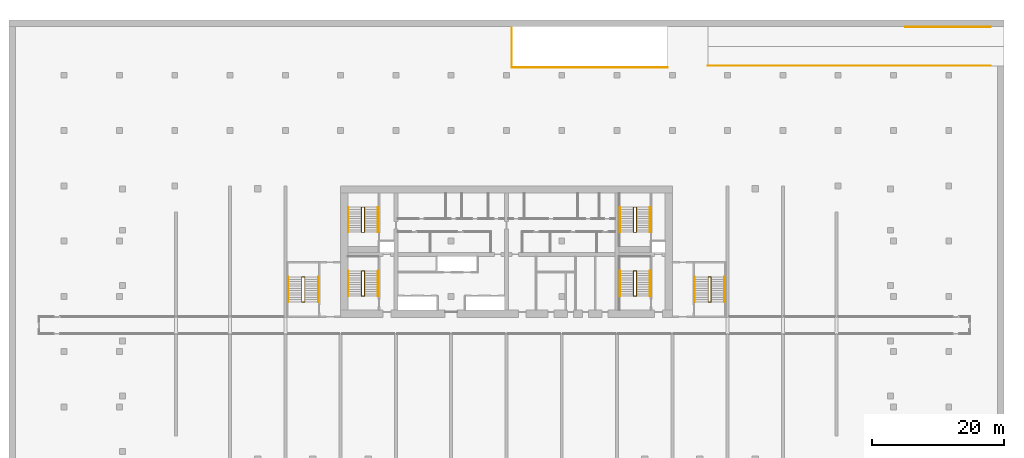
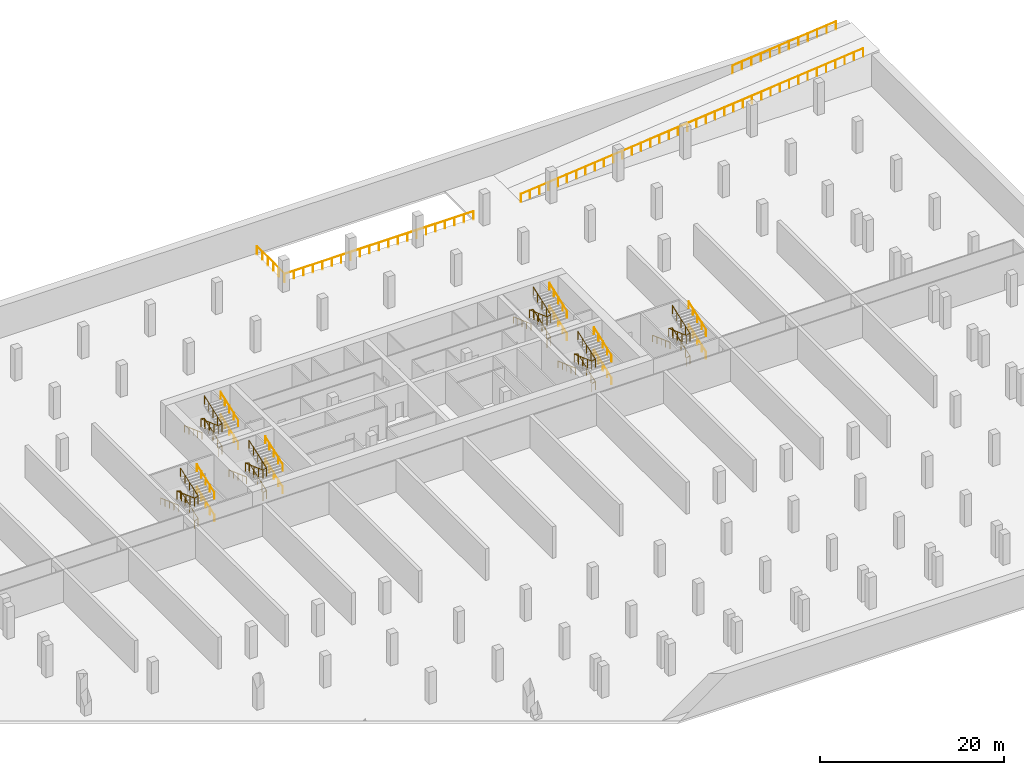
# One storey, part 12 of 12: 27 railings.
"""IFC4 building model written with IfcOpenShell, lengths in metres."""

from ifc_helpers import new_model, si_unit, direction, frame, origin, origin_2d, place, context, subcontext, project, spatial, circle, extrude, source, transform, mapped, material, type_object, element, save


model = new_model("IFC4")

# Units and contexts
model_context = context("Model", 3, precision=1e-05, world=origin(), true_north=direction((0.0, 1.0)))
body_context = subcontext(model_context, "Body", "Model", "MODEL_VIEW")
ifc_project = project(units=[si_unit("LENGTHUNIT", "METRE"), si_unit("AREAUNIT", "SQUARE_METRE"), si_unit("VOLUMEUNIT", "CUBIC_METRE"), si_unit("PLANEANGLEUNIT", "RADIAN"), si_unit("MASSUNIT", "GRAM", prefix="KILO")], contexts=[model_context])

# Site, building, storey
site_placement = place(None, origin())
site = spatial("IfcSite", under=ifc_project, at=site_placement, CompositionType="ELEMENT")
building_placement = place(site_placement, origin())
building = spatial("IfcBuilding", under=site, at=building_placement, Name="Vanashikhar Sky Hotel", CompositionType="ELEMENT")
storey_placement = place(building_placement, frame((0.0, 0.0, -4.5)))
storey = spatial("IfcBuildingStorey", under=building, at=storey_placement, Name="B1", CompositionType="ELEMENT", Elevation=-4.5)

# Railings
ifc_material = material(Name="Steel S355", Category="steel")
railing_type_1 = type_object("IfcRailingType", Name="Stair guard 1100", PredefinedType="GUARDRAIL", material=ifc_material)
shared_shape_1 = source(origin(), body_context, "Body", "SweptSolid", [
    extrude(circle(Radius=0.02392578125, at=origin_2d()), frame((0.0, 0.0, 1.076171875), z_axis=(0.963547848091, 0.0, 0.267536061943), x_axis=(0.0, 1.0, 0.0)), (0.0, 0.0, 1.0), 0.46728515625),
    extrude(circle(Radius=0.02392578125, at=origin_2d()), frame((0.4501953125, 0.0, 1.201171875), z_axis=(0.0, 0.940335516113, 0.340248610777), x_axis=(-1.0, 0.0, 0.0)), (0.0, 0.0, 1.0), 4.041259765625),
    extrude(circle(Radius=0.02392578125, at=origin_2d()), frame((0.4501953125, 3.800048828125, 2.576171875), z_axis=(-0.963547848091, 0.0, 0.267536061943), x_axis=(0.0, -1.0, 0.0)), (0.0, 0.0, 1.0), 0.46728515625),
    extrude(circle(Radius=0.02392578125, at=origin_2d()), frame((0.0, 3.800048828125, 2.701171875), z_axis=(0.0, -0.940335516113, 0.340248610777), x_axis=(1.0, 0.0, 0.0)), (0.0, 0.0, 1.0), 4.041259765625),
    extrude(circle(Radius=0.02392578125, at=origin_2d()), frame((0.0, 0.0, 4.076171875), z_axis=(0.963547848091, 0.0, 0.267536061943), x_axis=(0.0, 1.0, 0.0)), (0.0, 0.0, 1.0), 0.46728515625),
    extrude(circle(Radius=0.02392578125, at=origin_2d()), frame((0.4501953125, 0.0, 4.201171875), z_axis=(0.0, 0.940335516113, 0.340248610777), x_axis=(-1.0, 0.0, 0.0)), (0.0, 0.0, 1.0), 4.041259765625),
    extrude(circle(Radius=0.02099609375, at=origin_2d()), origin(), (0.0, 0.0, 1.0), 1.052001953125),
    extrude(circle(Radius=0.02099609375, at=origin_2d()), frame((0.4501953125, 0.0, 0.125)), (0.0, 0.0, 1.0), 1.052001953125),
    extrude(circle(Radius=0.02099609375, at=origin_2d()), frame((0.4501953125, 0.949951171875, 0.46875)), (0.0, 0.0, 1.0), 1.052001953125),
    extrude(circle(Radius=0.02099609375, at=origin_2d()), frame((0.4501953125, 1.89990234375, 0.8125)), (0.0, 0.0, 1.0), 1.052001953125),
    extrude(circle(Radius=0.02099609375, at=origin_2d()), frame((0.4501953125, 2.85009765625, 1.15625)), (0.0, 0.0, 1.0), 1.052001953125),
    extrude(circle(Radius=0.02099609375, at=origin_2d()), frame((0.4501953125, 3.800048828125, 1.5)), (0.0, 0.0, 1.0), 1.052001953125),
    extrude(circle(Radius=0.02099609375, at=origin_2d()), frame((0.0, 3.800048828125, 1.625)), (0.0, 0.0, 1.0), 1.052001953125),
    extrude(circle(Radius=0.02099609375, at=origin_2d()), frame((0.0, 2.85009765625, 1.96875)), (0.0, 0.0, 1.0), 1.052001953125),
    extrude(circle(Radius=0.02099609375, at=origin_2d()), frame((0.0, 1.89990234375, 2.3125)), (0.0, 0.0, 1.0), 1.052001953125),
    extrude(circle(Radius=0.02099609375, at=origin_2d()), frame((0.0, 0.949951171875, 2.65625)), (0.0, 0.0, 1.0), 1.052001953125),
    extrude(circle(Radius=0.02099609375, at=origin_2d()), frame((0.0, 0.0, 3.0)), (0.0, 0.0, 1.0), 1.052001953125),
    extrude(circle(Radius=0.02099609375, at=origin_2d()), frame((0.4501953125, 0.0, 3.125)), (0.0, 0.0, 1.0), 1.052001953125),
    extrude(circle(Radius=0.02099609375, at=origin_2d()), frame((0.4501953125, 0.949951171875, 3.46875)), (0.0, 0.0, 1.0), 1.052001953125),
    extrude(circle(Radius=0.02099609375, at=origin_2d()), frame((0.4501953125, 1.89990234375, 3.8125)), (0.0, 0.0, 1.0), 1.052001953125),
    extrude(circle(Radius=0.02099609375, at=origin_2d()), frame((0.4501953125, 2.85009765625, 4.15625)), (0.0, 0.0, 1.0), 1.052001953125),
    extrude(circle(Radius=0.02099609375, at=origin_2d()), frame((0.4501953125, 3.800048828125, 4.5)), (0.0, 0.0, 1.0), 1.052001953125),
])
for number, where, name in (
    (1, (28.39990234375, 25.25, 0.0), "Exit stair 1 guard"),
    (2, (28.39990234375, 34.949951171875, 0.0), "Exit stair 5 guard"),
):
    element("IfcRailing", number, at=place(storey_placement, frame(where)), inside=storey, type_object=railing_type_1, Name=name, PredefinedType="GUARDRAIL", context=body_context, shape_type="MappedRepresentation", body=[
        mapped(shared_shape_1, transform((0.0, 0.0, 0.0), scale=1.0)),
    ])
railing_type_2 = type_object("IfcRailingType", Name="Stair handrail 900", PredefinedType="HANDRAIL", material=ifc_material)
shared_shape_2 = source(origin(), body_context, "Body", "SweptSolid", [
    extrude(circle(Radius=0.02392578125, at=origin_2d()), frame((0.0, 0.0, 0.8759765625), z_axis=(0.0, 0.940335516113, 0.340248610777), x_axis=(-1.0, 0.0, 0.0)), (0.0, 0.0, 1.0), 4.041259765625),
    extrude(circle(Radius=0.02099609375, at=origin_2d()), origin(), (0.0, 0.0, 1.0), 0.851806640625),
    extrude(circle(Radius=0.02099609375, at=origin_2d()), frame((0.0, 0.949951171875, 0.34375)), (0.0, 0.0, 1.0), 0.851806640625),
    extrude(circle(Radius=0.02099609375, at=origin_2d()), frame((0.0, 1.89990234375, 0.6875)), (0.0, 0.0, 1.0), 0.851806640625),
    extrude(circle(Radius=0.02099609375, at=origin_2d()), frame((0.0, 2.85009765625, 1.03125)), (0.0, 0.0, 1.0), 0.851806640625),
    extrude(circle(Radius=0.02099609375, at=origin_2d()), frame((0.0, 3.800048828125, 1.375)), (0.0, 0.0, 1.0), 0.851806640625),
])
for number, where, name in (
    (3, (30.89990234375, 25.25, 0.125), "Exit stair 1 handrail"),
    (4, (30.89990234375, 25.25, 3.125), "Exit stair 1 handrail"),
    (5, (72.199951171875, 25.25, 0.125), "Exit stair 2 handrail"),
    (6, (72.199951171875, 25.25, 3.125), "Exit stair 2 handrail"),
    (7, (30.89990234375, 34.949951171875, 0.125), "Exit stair 5 handrail"),
    (8, (30.89990234375, 34.949951171875, 3.125), "Exit stair 5 handrail"),
    (9, (72.199951171875, 34.949951171875, 0.125), "Exit stair 6 handrail"),
    (10, (72.199951171875, 34.949951171875, 3.125), "Exit stair 6 handrail"),
):
    element("IfcRailing", number, at=place(storey_placement, frame(where)), inside=storey, type_object=railing_type_2, Name=name, PredefinedType="HANDRAIL", context=body_context, shape_type="MappedRepresentation", body=[
        mapped(shared_shape_2, transform((0.0, 0.0, 0.0), scale=1.0)),
    ])
shared_shape_3 = source(origin(), body_context, "Body", "SweptSolid", [
    extrude(circle(Radius=0.02392578125, at=origin_2d()), frame((0.0, 0.0, 0.8759765625), z_axis=(0.0, -0.940335516113, 0.340248610777), x_axis=(1.0, 0.0, 0.0)), (0.0, 0.0, 1.0), 4.041259765625),
    extrude(circle(Radius=0.02099609375, at=origin_2d()), origin(), (0.0, 0.0, 1.0), 0.851806640625),
    extrude(circle(Radius=0.02099609375, at=origin_2d()), frame((0.0, -0.949951171875, 0.34375)), (0.0, 0.0, 1.0), 0.851806640625),
    extrude(circle(Radius=0.02099609375, at=origin_2d()), frame((0.0, -1.89990234375, 0.6875)), (0.0, 0.0, 1.0), 0.851806640625),
    extrude(circle(Radius=0.02099609375, at=origin_2d()), frame((0.0, -2.85009765625, 1.03125)), (0.0, 0.0, 1.0), 0.851806640625),
    extrude(circle(Radius=0.02099609375, at=origin_2d()), frame((0.0, -3.800048828125, 1.375)), (0.0, 0.0, 1.0), 0.851806640625),
])
for number, where, name in (
    (11, (26.35009765625, 29.050048828125, 1.625), "Exit stair 1 handrail"),
    (12, (67.64990234375, 29.050048828125, 1.625), "Exit stair 2 handrail"),
    (13, (26.35009765625, 38.75, 1.625), "Exit stair 5 handrail"),
    (14, (67.64990234375, 38.75, 1.625), "Exit stair 6 handrail"),
):
    element("IfcRailing", number, at=place(storey_placement, frame(where)), inside=storey, type_object=railing_type_2, Name=name, PredefinedType="HANDRAIL", context=body_context, shape_type="MappedRepresentation", body=[
        mapped(shared_shape_3, transform((0.0, 0.0, 0.0), scale=1.0)),
    ])
shared_shape_4 = source(origin(), body_context, "Body", "SweptSolid", [
    extrude(circle(Radius=0.02392578125, at=origin_2d()), frame((0.0, 0.0, 1.076171875), z_axis=(0.963510419359, 0.0, 0.267670827299), x_axis=(0.0, 1.0, 0.0)), (0.0, 0.0, 1.0), 0.467041015625),
    extrude(circle(Radius=0.02392578125, at=origin_2d()), frame((0.449951171875, 0.0, 1.201171875), z_axis=(0.0, 0.940335516113, 0.340248610777), x_axis=(-1.0, 0.0, 0.0)), (0.0, 0.0, 1.0), 4.041259765625),
    extrude(circle(Radius=0.02392578125, at=origin_2d()), frame((0.449951171875, 3.800048828125, 2.576171875), z_axis=(-0.963510419359, 0.0, 0.267670827299), x_axis=(0.0, -1.0, 0.0)), (0.0, 0.0, 1.0), 0.467041015625),
    extrude(circle(Radius=0.02392578125, at=origin_2d()), frame((0.0, 3.800048828125, 2.701171875), z_axis=(0.0, -0.940335516113, 0.340248610777), x_axis=(1.0, 0.0, 0.0)), (0.0, 0.0, 1.0), 4.041259765625),
    extrude(circle(Radius=0.02392578125, at=origin_2d()), frame((0.0, 0.0, 4.076171875), z_axis=(0.963510419359, 0.0, 0.267670827299), x_axis=(0.0, 1.0, 0.0)), (0.0, 0.0, 1.0), 0.467041015625),
    extrude(circle(Radius=0.02392578125, at=origin_2d()), frame((0.449951171875, 0.0, 4.201171875), z_axis=(0.0, 0.940335516113, 0.340248610777), x_axis=(-1.0, 0.0, 0.0)), (0.0, 0.0, 1.0), 4.041259765625),
    extrude(circle(Radius=0.02099609375, at=origin_2d()), origin(), (0.0, 0.0, 1.0), 1.052001953125),
    extrude(circle(Radius=0.02099609375, at=origin_2d()), frame((0.449951171875, 0.0, 0.125)), (0.0, 0.0, 1.0), 1.052001953125),
    extrude(circle(Radius=0.02099609375, at=origin_2d()), frame((0.449951171875, 0.949951171875, 0.46875)), (0.0, 0.0, 1.0), 1.052001953125),
    extrude(circle(Radius=0.02099609375, at=origin_2d()), frame((0.449951171875, 1.89990234375, 0.8125)), (0.0, 0.0, 1.0), 1.052001953125),
    extrude(circle(Radius=0.02099609375, at=origin_2d()), frame((0.449951171875, 2.85009765625, 1.15625)), (0.0, 0.0, 1.0), 1.052001953125),
    extrude(circle(Radius=0.02099609375, at=origin_2d()), frame((0.449951171875, 3.800048828125, 1.5)), (0.0, 0.0, 1.0), 1.052001953125),
    extrude(circle(Radius=0.02099609375, at=origin_2d()), frame((0.0, 3.800048828125, 1.625)), (0.0, 0.0, 1.0), 1.052001953125),
    extrude(circle(Radius=0.02099609375, at=origin_2d()), frame((0.0, 2.85009765625, 1.96875)), (0.0, 0.0, 1.0), 1.052001953125),
    extrude(circle(Radius=0.02099609375, at=origin_2d()), frame((0.0, 1.89990234375, 2.3125)), (0.0, 0.0, 1.0), 1.052001953125),
    extrude(circle(Radius=0.02099609375, at=origin_2d()), frame((0.0, 0.949951171875, 2.65625)), (0.0, 0.0, 1.0), 1.052001953125),
    extrude(circle(Radius=0.02099609375, at=origin_2d()), frame((0.0, 0.0, 3.0)), (0.0, 0.0, 1.0), 1.052001953125),
    extrude(circle(Radius=0.02099609375, at=origin_2d()), frame((0.449951171875, 0.0, 3.125)), (0.0, 0.0, 1.0), 1.052001953125),
    extrude(circle(Radius=0.02099609375, at=origin_2d()), frame((0.449951171875, 0.949951171875, 3.46875)), (0.0, 0.0, 1.0), 1.052001953125),
    extrude(circle(Radius=0.02099609375, at=origin_2d()), frame((0.449951171875, 1.89990234375, 3.8125)), (0.0, 0.0, 1.0), 1.052001953125),
    extrude(circle(Radius=0.02099609375, at=origin_2d()), frame((0.449951171875, 2.85009765625, 4.15625)), (0.0, 0.0, 1.0), 1.052001953125),
    extrude(circle(Radius=0.02099609375, at=origin_2d()), frame((0.449951171875, 3.800048828125, 4.5)), (0.0, 0.0, 1.0), 1.052001953125),
])
for number, where, name in (
    (15, (69.699951171875, 25.25, 0.0), "Exit stair 2 guard"),
    (16, (69.699951171875, 34.949951171875, 0.0), "Exit stair 6 guard"),
):
    element("IfcRailing", number, at=place(storey_placement, frame(where)), inside=storey, type_object=railing_type_1, Name=name, PredefinedType="GUARDRAIL", context=body_context, shape_type="MappedRepresentation", body=[
        mapped(shared_shape_4, transform((0.0, 0.0, 0.0), scale=1.0)),
    ])
shared_shape_5 = source(origin(), body_context, "Body", "SweptSolid", [
    extrude(circle(Radius=0.02392578125, at=origin_2d()), frame((0.0, 0.0, 1.076171875), z_axis=(0.963510419359, 0.0, 0.267670827299), x_axis=(0.0, 1.0, 0.0)), (0.0, 0.0, 1.0), 0.467041015625),
    extrude(circle(Radius=0.02392578125, at=origin_2d()), frame((0.449951171875, 0.0, 1.201171875), z_axis=(0.0, 0.940328521504, 0.340267940961), x_axis=(-1.0, 0.0, 0.0)), (0.0, 0.0, 1.0), 4.041015625),
    extrude(circle(Radius=0.02392578125, at=origin_2d()), frame((0.449951171875, 3.7998046875, 2.576171875), z_axis=(-0.963510419359, 0.0, 0.267670827299), x_axis=(0.0, -1.0, 0.0)), (0.0, 0.0, 1.0), 0.467041015625),
    extrude(circle(Radius=0.02392578125, at=origin_2d()), frame((0.0, 3.7998046875, 2.701171875), z_axis=(0.0, -0.940328521504, 0.340267940961), x_axis=(1.0, 0.0, 0.0)), (0.0, 0.0, 1.0), 4.041015625),
    extrude(circle(Radius=0.02392578125, at=origin_2d()), frame((0.0, 0.0, 4.076171875), z_axis=(0.963510419359, 0.0, 0.267670827299), x_axis=(0.0, 1.0, 0.0)), (0.0, 0.0, 1.0), 0.467041015625),
    extrude(circle(Radius=0.02392578125, at=origin_2d()), frame((0.449951171875, 0.0, 4.201171875), z_axis=(0.0, 0.940328521504, 0.340267940961), x_axis=(-1.0, 0.0, 0.0)), (0.0, 0.0, 1.0), 4.041015625),
    extrude(circle(Radius=0.02099609375, at=origin_2d()), origin(), (0.0, 0.0, 1.0), 1.052001953125),
    extrude(circle(Radius=0.02099609375, at=origin_2d()), frame((0.449951171875, 0.0, 0.125)), (0.0, 0.0, 1.0), 1.052001953125),
    extrude(circle(Radius=0.02099609375, at=origin_2d()), frame((0.449951171875, 0.949951171875, 0.46875)), (0.0, 0.0, 1.0), 1.052001953125),
    extrude(circle(Radius=0.02099609375, at=origin_2d()), frame((0.449951171875, 1.89990234375, 0.8125)), (0.0, 0.0, 1.0), 1.052001953125),
    extrude(circle(Radius=0.02099609375, at=origin_2d()), frame((0.449951171875, 2.849853515625, 1.15625)), (0.0, 0.0, 1.0), 1.052001953125),
    extrude(circle(Radius=0.02099609375, at=origin_2d()), frame((0.449951171875, 3.7998046875, 1.5)), (0.0, 0.0, 1.0), 1.052001953125),
    extrude(circle(Radius=0.02099609375, at=origin_2d()), frame((0.0, 3.7998046875, 1.625)), (0.0, 0.0, 1.0), 1.052001953125),
    extrude(circle(Radius=0.02099609375, at=origin_2d()), frame((0.0, 2.849853515625, 1.96875)), (0.0, 0.0, 1.0), 1.052001953125),
    extrude(circle(Radius=0.02099609375, at=origin_2d()), frame((0.0, 1.89990234375, 2.3125)), (0.0, 0.0, 1.0), 1.052001953125),
    extrude(circle(Radius=0.02099609375, at=origin_2d()), frame((0.0, 0.949951171875, 2.65625)), (0.0, 0.0, 1.0), 1.052001953125),
    extrude(circle(Radius=0.02099609375, at=origin_2d()), frame((0.0, 0.0, 3.0)), (0.0, 0.0, 1.0), 1.052001953125),
    extrude(circle(Radius=0.02099609375, at=origin_2d()), frame((0.449951171875, 0.0, 3.125)), (0.0, 0.0, 1.0), 1.052001953125),
    extrude(circle(Radius=0.02099609375, at=origin_2d()), frame((0.449951171875, 0.949951171875, 3.46875)), (0.0, 0.0, 1.0), 1.052001953125),
    extrude(circle(Radius=0.02099609375, at=origin_2d()), frame((0.449951171875, 1.89990234375, 3.8125)), (0.0, 0.0, 1.0), 1.052001953125),
    extrude(circle(Radius=0.02099609375, at=origin_2d()), frame((0.449951171875, 2.849853515625, 4.15625)), (0.0, 0.0, 1.0), 1.052001953125),
    extrude(circle(Radius=0.02099609375, at=origin_2d()), frame((0.449951171875, 3.7998046875, 4.5)), (0.0, 0.0, 1.0), 1.052001953125),
])
for number, where, name in (
    (17, (19.300048828125, 24.35009765625, 0.0), "Exit stair 3 guard"),
    (18, (81.050048828125, 24.35009765625, 0.0), "Exit stair 4 guard"),
):
    element("IfcRailing", number, at=place(storey_placement, frame(where)), inside=storey, type_object=railing_type_1, Name=name, PredefinedType="GUARDRAIL", context=body_context, shape_type="MappedRepresentation", body=[
        mapped(shared_shape_5, transform((0.0, 0.0, 0.0), scale=1.0)),
    ])
shared_shape_6 = source(origin(), body_context, "Body", "SweptSolid", [
    extrude(circle(Radius=0.02392578125, at=origin_2d()), frame((0.0, 0.0, 0.8759765625), z_axis=(0.0, 0.940328521504, 0.340267940961), x_axis=(-1.0, 0.0, 0.0)), (0.0, 0.0, 1.0), 4.041015625),
    extrude(circle(Radius=0.02099609375, at=origin_2d()), origin(), (0.0, 0.0, 1.0), 0.851806640625),
    extrude(circle(Radius=0.02099609375, at=origin_2d()), frame((0.0, 0.949951171875, 0.34375)), (0.0, 0.0, 1.0), 0.851806640625),
    extrude(circle(Radius=0.02099609375, at=origin_2d()), frame((0.0, 1.89990234375, 0.6875)), (0.0, 0.0, 1.0), 0.851806640625),
    extrude(circle(Radius=0.02099609375, at=origin_2d()), frame((0.0, 2.849853515625, 1.03125)), (0.0, 0.0, 1.0), 0.851806640625),
    extrude(circle(Radius=0.02099609375, at=origin_2d()), frame((0.0, 3.7998046875, 1.375)), (0.0, 0.0, 1.0), 0.851806640625),
])
for number, where, name in (
    (19, (21.800048828125, 24.35009765625, 0.125), "Exit stair 3 handrail"),
    (20, (21.800048828125, 24.35009765625, 3.125), "Exit stair 3 handrail"),
    (21, (83.550048828125, 24.35009765625, 0.125), "Exit stair 4 handrail"),
    (22, (83.550048828125, 24.35009765625, 3.125), "Exit stair 4 handrail"),
):
    element("IfcRailing", number, at=place(storey_placement, frame(where)), inside=storey, type_object=railing_type_2, Name=name, PredefinedType="HANDRAIL", context=body_context, shape_type="MappedRepresentation", body=[
        mapped(shared_shape_6, transform((0.0, 0.0, 0.0), scale=1.0)),
    ])
shared_shape_7 = source(origin(), body_context, "Body", "SweptSolid", [
    extrude(circle(Radius=0.02392578125, at=origin_2d()), frame((0.0, 0.0, 0.8759765625), z_axis=(0.0, -0.940328521504, 0.340267940961), x_axis=(1.0, 0.0, 0.0)), (0.0, 0.0, 1.0), 4.041015625),
    extrude(circle(Radius=0.02099609375, at=origin_2d()), origin(), (0.0, 0.0, 1.0), 0.851806640625),
    extrude(circle(Radius=0.02099609375, at=origin_2d()), frame((0.0, -0.949951171875, 0.34375)), (0.0, 0.0, 1.0), 0.851806640625),
    extrude(circle(Radius=0.02099609375, at=origin_2d()), frame((0.0, -1.89990234375, 0.6875)), (0.0, 0.0, 1.0), 0.851806640625),
    extrude(circle(Radius=0.02099609375, at=origin_2d()), frame((0.0, -2.849853515625, 1.03125)), (0.0, 0.0, 1.0), 0.851806640625),
    extrude(circle(Radius=0.02099609375, at=origin_2d()), frame((0.0, -3.7998046875, 1.375)), (0.0, 0.0, 1.0), 0.851806640625),
])
for number, where, name in (
    (23, (17.25, 28.14990234375, 1.625), "Exit stair 3 handrail"),
    (24, (79.0, 28.14990234375, 1.625), "Exit stair 4 handrail"),
):
    element("IfcRailing", number, at=place(storey_placement, frame(where)), inside=storey, type_object=railing_type_2, Name=name, PredefinedType="HANDRAIL", context=body_context, shape_type="MappedRepresentation", body=[
        mapped(shared_shape_7, transform((0.0, 0.0, 0.0), scale=1.0)),
    ])
railing_type_3 = type_object("IfcRailingType", Name="Ramp trench guard 1100 mm", PredefinedType="GUARDRAIL", material=ifc_material)
shared_shape_8 = source(origin(), body_context, "Body", "SweptSolid", [
    extrude(circle(Radius=0.02392578125, at=origin_2d()), frame((0.0, 0.0, 1.076171875), z_axis=(0.0, -1.0, 0.0), x_axis=(1.0, 0.0, 0.0)), (0.0, 0.0, 1.0), 6.0),
    extrude(circle(Radius=0.02392578125, at=origin_2d()), frame((0.0, -6.0, 1.076171875), z_axis=(1.0, 0.0, 0.0), x_axis=(0.0, 1.0, 0.0)), (0.0, 0.0, 1.0), 23.699951171875),
    extrude(circle(Radius=0.02099609375, at=origin_2d()), origin(), (0.0, 0.0, 1.0), 1.052001953125),
    extrude(circle(Radius=0.02099609375, at=origin_2d()), frame((0.0, -1.199951171875, 0.0)), (0.0, 0.0, 1.0), 1.052001953125),
    extrude(circle(Radius=0.02099609375, at=origin_2d()), frame((0.0, -2.39990234375, 0.0)), (0.0, 0.0, 1.0), 1.052001953125),
    extrude(circle(Radius=0.02099609375, at=origin_2d()), frame((0.0, -3.60009765625, 0.0)), (0.0, 0.0, 1.0), 1.052001953125),
    extrude(circle(Radius=0.02099609375, at=origin_2d()), frame((0.0, -4.800048828125, 0.0)), (0.0, 0.0, 1.0), 1.052001953125),
    extrude(circle(Radius=0.02099609375, at=origin_2d()), frame((0.0, -6.0, 0.0)), (0.0, 0.0, 1.0), 1.052001953125),
    extrude(circle(Radius=0.02099609375, at=origin_2d()), frame((1.18505859375, -6.0, 0.0)), (0.0, 0.0, 1.0), 1.052001953125),
    extrude(circle(Radius=0.02099609375, at=origin_2d()), frame((2.3701171875, -6.0, 0.0)), (0.0, 0.0, 1.0), 1.052001953125),
    extrude(circle(Radius=0.02099609375, at=origin_2d()), frame((3.554931640625, -6.0, 0.0)), (0.0, 0.0, 1.0), 1.052001953125),
    extrude(circle(Radius=0.02099609375, at=origin_2d()), frame((4.739990234375, -6.0, 0.0)), (0.0, 0.0, 1.0), 1.052001953125),
    extrude(circle(Radius=0.02099609375, at=origin_2d()), frame((5.925048828125, -6.0, 0.0)), (0.0, 0.0, 1.0), 1.052001953125),
    extrude(circle(Radius=0.02099609375, at=origin_2d()), frame((7.10986328125, -6.0, 0.0)), (0.0, 0.0, 1.0), 1.052001953125),
    extrude(circle(Radius=0.02099609375, at=origin_2d()), frame((8.294921875, -6.0, 0.0)), (0.0, 0.0, 1.0), 1.052001953125),
    extrude(circle(Radius=0.02099609375, at=origin_2d()), frame((9.47998046875, -6.0, 0.0)), (0.0, 0.0, 1.0), 1.052001953125),
    extrude(circle(Radius=0.02099609375, at=origin_2d()), frame((10.6650390625, -6.0, 0.0)), (0.0, 0.0, 1.0), 1.052001953125),
    extrude(circle(Radius=0.02099609375, at=origin_2d()), frame((11.85009765625, -6.0, 0.0)), (0.0, 0.0, 1.0), 1.052001953125),
    extrude(circle(Radius=0.02099609375, at=origin_2d()), frame((13.034912109375, -6.0, 0.0)), (0.0, 0.0, 1.0), 1.052001953125),
    extrude(circle(Radius=0.02099609375, at=origin_2d()), frame((14.219970703125, -6.0, 0.0)), (0.0, 0.0, 1.0), 1.052001953125),
    extrude(circle(Radius=0.02099609375, at=origin_2d()), frame((15.405029296875, -6.0, 0.0)), (0.0, 0.0, 1.0), 1.052001953125),
    extrude(circle(Radius=0.02099609375, at=origin_2d()), frame((16.58984375, -6.0, 0.0)), (0.0, 0.0, 1.0), 1.052001953125),
    extrude(circle(Radius=0.02099609375, at=origin_2d()), frame((17.77490234375, -6.0, 0.0)), (0.0, 0.0, 1.0), 1.052001953125),
    extrude(circle(Radius=0.02099609375, at=origin_2d()), frame((18.9599609375, -6.0, 0.0)), (0.0, 0.0, 1.0), 1.052001953125),
    extrude(circle(Radius=0.02099609375, at=origin_2d()), frame((20.14501953125, -6.0, 0.0)), (0.0, 0.0, 1.0), 1.052001953125),
    extrude(circle(Radius=0.02099609375, at=origin_2d()), frame((21.330078125, -6.0, 0.0)), (0.0, 0.0, 1.0), 1.052001953125),
    extrude(circle(Radius=0.02099609375, at=origin_2d()), frame((22.514892578125, -6.0, 0.0)), (0.0, 0.0, 1.0), 1.052001953125),
    extrude(circle(Radius=0.02099609375, at=origin_2d()), frame((23.699951171875, -6.0, 0.0)), (0.0, 0.0, 1.0), 1.052001953125),
])
railing_1_placement = place(storey_placement, frame((51.199951171875, 66.0, 0.0)))
element("IfcRailing", 25, at=railing_1_placement, inside=storey, type_object=railing_type_3, Name="Ramp trench guard", PredefinedType="GUARDRAIL", context=body_context, shape_type="MappedRepresentation", body=[
    mapped(shared_shape_8, transform((0.0, 0.0, 0.0), scale=1.0)),
])
railing_type_4 = type_object("IfcRailingType", Name="Ramp edge guard 1100 mm", PredefinedType="GUARDRAIL", material=ifc_material)
shared_shape_9 = source(origin(), body_context, "Body", "SweptSolid", [
    extrude(circle(Radius=0.02392578125, at=origin_2d()), frame((0.0, 0.0, 1.076171875), z_axis=(-0.995037078338, 0.0, -0.099504837736), x_axis=(0.0, -1.0, 0.0)), (0.0, 0.0, 1.0), 43.21435546875),
    extrude(circle(Radius=0.02099609375, at=origin_2d()), origin(), (0.0, 0.0, 1.0), 1.052001953125),
    extrude(circle(Radius=0.02099609375, at=origin_2d()), frame((-1.162109375, 0.0, -0.1162109375)), (0.0, 0.0, 1.0), 1.052001953125),
    extrude(circle(Radius=0.02099609375, at=origin_2d()), frame((-2.32421875, 0.0, -0.232421875)), (0.0, 0.0, 1.0), 1.052001953125),
    extrude(circle(Radius=0.02099609375, at=origin_2d()), frame((-3.486572265625, 0.0, -0.3486328125)), (0.0, 0.0, 1.0), 1.052001953125),
    extrude(circle(Radius=0.02099609375, at=origin_2d()), frame((-4.648681640625, 0.0, -0.46484375)), (0.0, 0.0, 1.0), 1.052001953125),
    extrude(circle(Radius=0.02099609375, at=origin_2d()), frame((-5.810791015625, 0.0, -0.5810546875)), (0.0, 0.0, 1.0), 1.052001953125),
    extrude(circle(Radius=0.02099609375, at=origin_2d()), frame((-6.972900390625, 0.0, -0.697265625)), (0.0, 0.0, 1.0), 1.052001953125),
    extrude(circle(Radius=0.02099609375, at=origin_2d()), frame((-8.13525390625, 0.0, -0.8134765625)), (0.0, 0.0, 1.0), 1.052001953125),
    extrude(circle(Radius=0.02099609375, at=origin_2d()), frame((-9.29736328125, 0.0, -0.9296875)), (0.0, 0.0, 1.0), 1.052001953125),
    extrude(circle(Radius=0.02099609375, at=origin_2d()), frame((-10.45947265625, 0.0, -1.0458984375)), (0.0, 0.0, 1.0), 1.052001953125),
    extrude(circle(Radius=0.02099609375, at=origin_2d()), frame((-11.62158203125, 0.0, -1.162109375)), (0.0, 0.0, 1.0), 1.052001953125),
    extrude(circle(Radius=0.02099609375, at=origin_2d()), frame((-12.78369140625, 0.0, -1.2783203125)), (0.0, 0.0, 1.0), 1.052001953125),
    extrude(circle(Radius=0.02099609375, at=origin_2d()), frame((-13.946044921875, 0.0, -1.39453125)), (0.0, 0.0, 1.0), 1.052001953125),
    extrude(circle(Radius=0.02099609375, at=origin_2d()), frame((-15.108154296875, 0.0, -1.5107421875)), (0.0, 0.0, 1.0), 1.052001953125),
    extrude(circle(Radius=0.02099609375, at=origin_2d()), frame((-16.270263671875, 0.0, -1.626953125)), (0.0, 0.0, 1.0), 1.052001953125),
    extrude(circle(Radius=0.02099609375, at=origin_2d()), frame((-17.432373046875, 0.0, -1.7431640625)), (0.0, 0.0, 1.0), 1.052001953125),
    extrude(circle(Radius=0.02099609375, at=origin_2d()), frame((-18.594482421875, 0.0, -1.859375)), (0.0, 0.0, 1.0), 1.052001953125),
    extrude(circle(Radius=0.02099609375, at=origin_2d()), frame((-19.7568359375, 0.0, -1.9755859375)), (0.0, 0.0, 1.0), 1.052001953125),
    extrude(circle(Radius=0.02099609375, at=origin_2d()), frame((-20.9189453125, 0.0, -2.091796875)), (0.0, 0.0, 1.0), 1.052001953125),
    extrude(circle(Radius=0.02099609375, at=origin_2d()), frame((-22.0810546875, 0.0, -2.208251953125)), (0.0, 0.0, 1.0), 1.052001953125),
    extrude(circle(Radius=0.02099609375, at=origin_2d()), frame((-23.2431640625, 0.0, -2.324462890625)), (0.0, 0.0, 1.0), 1.052001953125),
    extrude(circle(Radius=0.02099609375, at=origin_2d()), frame((-24.405517578125, 0.0, -2.440673828125)), (0.0, 0.0, 1.0), 1.052001953125),
    extrude(circle(Radius=0.02099609375, at=origin_2d()), frame((-25.567626953125, 0.0, -2.556884765625)), (0.0, 0.0, 1.0), 1.052001953125),
    extrude(circle(Radius=0.02099609375, at=origin_2d()), frame((-26.729736328125, 0.0, -2.673095703125)), (0.0, 0.0, 1.0), 1.052001953125),
    extrude(circle(Radius=0.02099609375, at=origin_2d()), frame((-27.891845703125, 0.0, -2.789306640625)), (0.0, 0.0, 1.0), 1.052001953125),
    extrude(circle(Radius=0.02099609375, at=origin_2d()), frame((-29.053955078125, 0.0, -2.905517578125)), (0.0, 0.0, 1.0), 1.052001953125),
    extrude(circle(Radius=0.02099609375, at=origin_2d()), frame((-30.21630859375, 0.0, -3.021728515625)), (0.0, 0.0, 1.0), 1.052001953125),
    extrude(circle(Radius=0.02099609375, at=origin_2d()), frame((-31.37841796875, 0.0, -3.137939453125)), (0.0, 0.0, 1.0), 1.052001953125),
    extrude(circle(Radius=0.02099609375, at=origin_2d()), frame((-32.54052734375, 0.0, -3.254150390625)), (0.0, 0.0, 1.0), 1.052001953125),
    extrude(circle(Radius=0.02099609375, at=origin_2d()), frame((-33.70263671875, 0.0, -3.370361328125)), (0.0, 0.0, 1.0), 1.052001953125),
    extrude(circle(Radius=0.02099609375, at=origin_2d()), frame((-34.86474609375, 0.0, -3.486572265625)), (0.0, 0.0, 1.0), 1.052001953125),
    extrude(circle(Radius=0.02099609375, at=origin_2d()), frame((-36.027099609375, 0.0, -3.602783203125)), (0.0, 0.0, 1.0), 1.052001953125),
    extrude(circle(Radius=0.02099609375, at=origin_2d()), frame((-37.189208984375, 0.0, -3.718994140625)), (0.0, 0.0, 1.0), 1.052001953125),
    extrude(circle(Radius=0.02099609375, at=origin_2d()), frame((-38.351318359375, 0.0, -3.835205078125)), (0.0, 0.0, 1.0), 1.052001953125),
    extrude(circle(Radius=0.02099609375, at=origin_2d()), frame((-39.513427734375, 0.0, -3.951416015625)), (0.0, 0.0, 1.0), 1.052001953125),
    extrude(circle(Radius=0.02099609375, at=origin_2d()), frame((-40.67578125, 0.0, -4.067626953125)), (0.0, 0.0, 1.0), 1.052001953125),
    extrude(circle(Radius=0.02099609375, at=origin_2d()), frame((-41.837890625, 0.0, -4.183837890625)), (0.0, 0.0, 1.0), 1.052001953125),
    extrude(circle(Radius=0.02099609375, at=origin_2d()), frame((-43.0, 0.0, -4.300048828125)), (0.0, 0.0, 1.0), 1.052001953125),
])
railing_2_placement = place(storey_placement, frame((124.0, 60.25, 4.300048828125)))
element("IfcRailing", 26, at=railing_2_placement, inside=storey, type_object=railing_type_4, Name="Ramp edge guard", PredefinedType="GUARDRAIL", context=body_context, shape_type="MappedRepresentation", body=[
    mapped(shared_shape_9, transform((0.0, 0.0, 0.0), scale=1.0)),
])
shared_shape_10 = source(origin(), body_context, "Body", "SweptSolid", [
    extrude(circle(Radius=0.02392578125, at=origin_2d()), frame((0.0, 0.0, 1.076171875), z_axis=(-0.995036820167, 0.0, -0.099507419385), x_axis=(0.0, -1.0, 0.0)), (0.0, 0.0, 1.0), 13.06494140625),
    extrude(circle(Radius=0.02099609375, at=origin_2d()), origin(), (0.0, 0.0, 1.0), 1.052001953125),
    extrude(circle(Radius=0.02099609375, at=origin_2d()), frame((-1.181884765625, 0.0, -0.1181640625)), (0.0, 0.0, 1.0), 1.052001953125),
    extrude(circle(Radius=0.02099609375, at=origin_2d()), frame((-2.363525390625, 0.0, -0.236328125)), (0.0, 0.0, 1.0), 1.052001953125),
    extrude(circle(Radius=0.02099609375, at=origin_2d()), frame((-3.54541015625, 0.0, -0.3544921875)), (0.0, 0.0, 1.0), 1.052001953125),
    extrude(circle(Radius=0.02099609375, at=origin_2d()), frame((-4.727294921875, 0.0, -0.47265625)), (0.0, 0.0, 1.0), 1.052001953125),
    extrude(circle(Radius=0.02099609375, at=origin_2d()), frame((-5.9091796875, 0.0, -0.5908203125)), (0.0, 0.0, 1.0), 1.052001953125),
    extrude(circle(Radius=0.02099609375, at=origin_2d()), frame((-7.0908203125, 0.0, -0.709228515625)), (0.0, 0.0, 1.0), 1.052001953125),
    extrude(circle(Radius=0.02099609375, at=origin_2d()), frame((-8.272705078125, 0.0, -0.827392578125)), (0.0, 0.0, 1.0), 1.052001953125),
    extrude(circle(Radius=0.02099609375, at=origin_2d()), frame((-9.45458984375, 0.0, -0.945556640625)), (0.0, 0.0, 1.0), 1.052001953125),
    extrude(circle(Radius=0.02099609375, at=origin_2d()), frame((-10.636474609375, 0.0, -1.063720703125)), (0.0, 0.0, 1.0), 1.052001953125),
    extrude(circle(Radius=0.02099609375, at=origin_2d()), frame((-11.818115234375, 0.0, -1.181884765625)), (0.0, 0.0, 1.0), 1.052001953125),
    extrude(circle(Radius=0.02099609375, at=origin_2d()), frame((-13.0, 0.0, -1.300048828125)), (0.0, 0.0, 1.0), 1.052001953125),
])
railing_3_placement = place(storey_placement, frame((124.0, 66.14990234375, 4.300048828125)))
element("IfcRailing", 27, at=railing_3_placement, inside=storey, type_object=railing_type_4, Name="Ramp edge guard", PredefinedType="GUARDRAIL", context=body_context, shape_type="MappedRepresentation", body=[
    mapped(shared_shape_10, transform((0.0, 0.0, 0.0), scale=1.0)),
])

save(model, "model.ifc")
